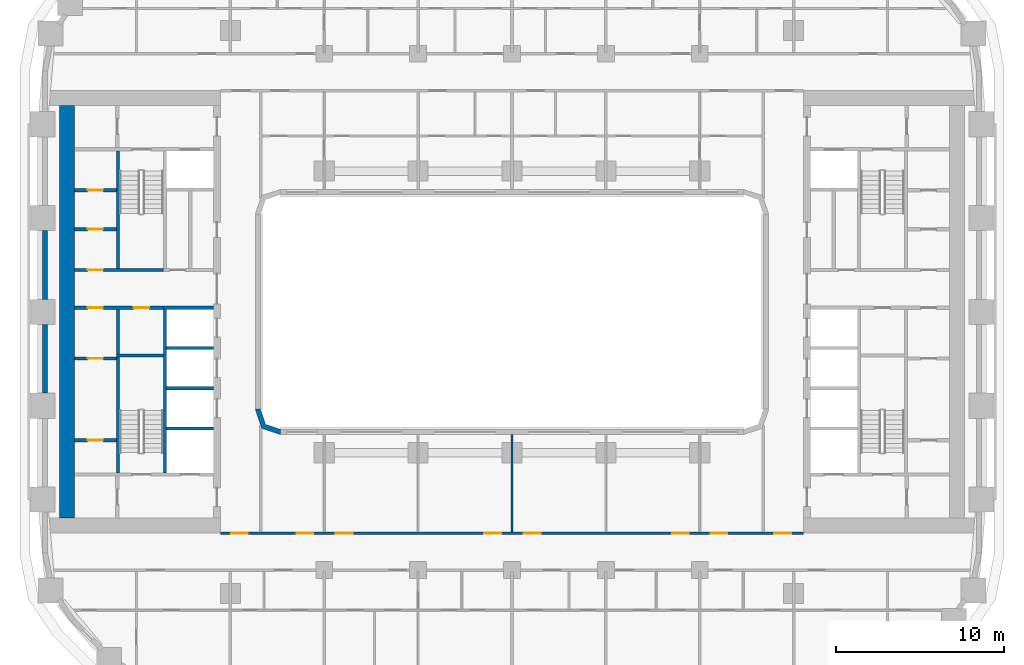
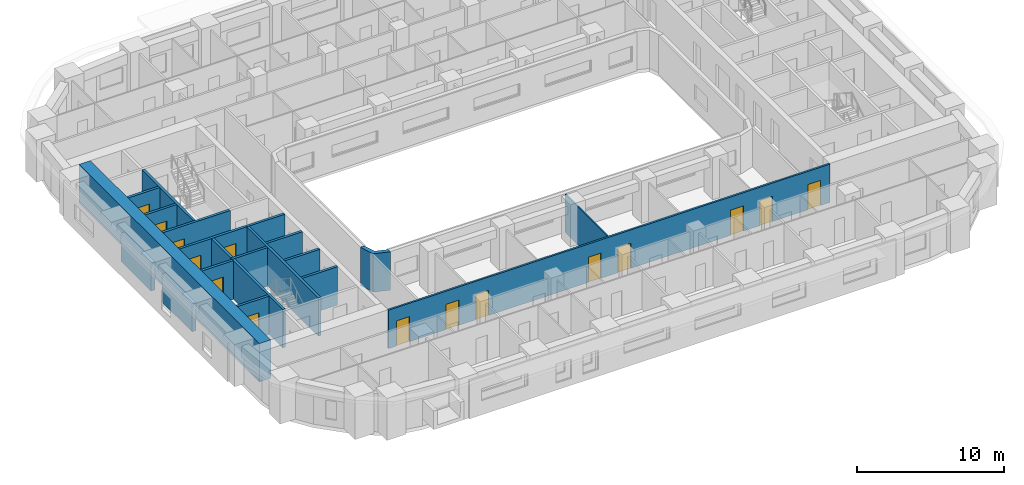
# One storey, part 4 of 21: 21 walls, 15 doors, 15 openings.
"""IFC4 building model written with IfcOpenShell, lengths in metres."""

from ifc_helpers import new_model, si_unit, direction, frame, frame_2d, origin, place, context, subcontext, project, spatial, polyline, rectangle, outline, extrude, material, layer, layer_set, type_object, element, fill, save


model = new_model("IFC4")

# Units and contexts
model_context = context("Model", 3, precision=1e-05, world=origin(), true_north=direction((0.0, 1.0)))
body_context = subcontext(model_context, "Body", "Model", "MODEL_VIEW")
ifc_project = project(units=[si_unit("LENGTHUNIT", "METRE"), si_unit("AREAUNIT", "SQUARE_METRE"), si_unit("VOLUMEUNIT", "CUBIC_METRE"), si_unit("PLANEANGLEUNIT", "RADIAN"), si_unit("MASSUNIT", "GRAM", prefix="KILO")], contexts=[model_context])

# Site, building, storey
site_placement = place(None, origin())
site = spatial("IfcSite", under=ifc_project, at=site_placement, CompositionType="ELEMENT")
building_placement = place(site_placement, origin())
building = spatial("IfcBuilding", under=site, at=building_placement, Name="Kiln Ring Residences", CompositionType="ELEMENT")
storey_placement = place(building_placement, frame((0.0, 0.0, 41.0)))
storey = spatial("IfcBuildingStorey", under=building, at=storey_placement, Name="L09", CompositionType="ELEMENT", Elevation=41.0)

# Wall
ifc_material_1 = material(Name="Gypsum board on steel studs", Category="steel")
ifc_layer_1 = layer(ifc_material_1, 0.199951171875)
ifc_layer_set_1 = layer_set([ifc_layer_1], Name="CORE-PARTITION-200")
wall_type_1 = type_object("IfcWallType", Name="CORE-PARTITION-200", PredefinedType="PARTITIONING", material=ifc_layer_set_1)
wall_1_placement = place(storey_placement, frame((-23.5, -2.5, 0.0), z_axis=(0.0, 0.0, 1.0), x_axis=(0.0, 1.0, 0.0)))
element("IfcWall", 1, at=wall_1_placement, inside=storey, type_object=wall_type_1, Name="Core partition west L09 1", PredefinedType="PARTITIONING", context=body_context, shape_type="SweptSolid", body=[
    extrude(rectangle(XDim=2.64990234375, YDim=0.199951171875, at=frame_2d((1.324951171875, 0.0))), origin(), (0.0, 0.0, 1.0), 3.199951171875),
])

# Wall, openings, doors
wall_2_placement = place(storey_placement, frame((-20.800048828125, 0.25, 0.0), z_axis=(0.0, 0.0, 1.0), x_axis=(-1.0, 0.0, 0.0)))
wall_2 = element("IfcWall", 2, at=wall_2_placement, inside=storey, type_object=wall_type_1, Name="Core partition west L09 2", PredefinedType="PARTITIONING", context=body_context, shape_type="SweptSolid", body=[
    extrude(rectangle(XDim=5.300048828125, YDim=0.199951171875, at=frame_2d((2.64990234375, 0.0))), origin(), (0.0, 0.0, 1.0), 3.199951171875),
])
opening_1_placement = place(wall_2_placement, frame((0.85009765625, 0.0, 0.0)))
opening_1 = element("IfcOpeningElement", 3, at=opening_1_placement, cuts=wall_2, Name="Opening L09-CW15", PredefinedType="OPENING", context=body_context, shape_type="SweptSolid", body=[
    extrude(rectangle(XDim=0.89990234375, YDim=2.10009765625, at=frame_2d((0.449951171875, 1.050048828125))), frame((0.0, 0.10986328125, 0.0), z_axis=(0.0, -1.0, 0.0), x_axis=(1.0, 0.0, 0.0)), (0.0, 0.0, 1.0), 0.219970703125),
])
opening_2_placement = place(wall_2_placement, frame((3.60009765625, 0.0, 0.0)))
opening_2 = element("IfcOpeningElement", 4, at=opening_2_placement, cuts=wall_2, Name="Opening L09-CW18", PredefinedType="OPENING", context=body_context, shape_type="SweptSolid", body=[
    extrude(rectangle(XDim=0.89990234375, YDim=2.10009765625, at=frame_2d((0.449951171875, 1.050048828125))), frame((0.0, 0.10986328125, 0.0), z_axis=(0.0, -1.0, 0.0), x_axis=(1.0, 0.0, 0.0)), (0.0, 0.0, 1.0), 0.219970703125),
])
ifc_material_2 = material(Name="Steel door leaf", Category="steel")
door_type_1 = type_object("IfcDoorType", Name="CORE-DOOR-ROOM", OperationType="SINGLE_SWING_LEFT", PredefinedType="DOOR", material=ifc_material_2)
door_1_placement = place(opening_1_placement, origin())
door_1 = element("IfcDoor", 5, at=door_1_placement, inside=storey, type_object=door_type_1, Name="Cleaner's store L09-CW15", OperationType="SINGLE_SWING_LEFT", OverallHeight=2.10009765625, OverallWidth=0.89990234375, PredefinedType="DOOR", context=body_context, shape_type="SweptSolid", body=[
    extrude(rectangle(XDim=0.89990234375, YDim=2.10009765625, at=frame_2d((0.449951171875, 1.050048828125))), frame((0.0, 0.02490234375, 0.0), z_axis=(0.0, -1.0, 0.0), x_axis=(1.0, 0.0, 0.0)), (0.0, 0.0, 1.0), 0.050048828125),
])
fill(opening_1, door_1)
door_2_placement = place(opening_2_placement, origin())
door_2 = element("IfcDoor", 6, at=door_2_placement, inside=storey, type_object=door_type_1, Name="Battery room L09-CW18", OperationType="SINGLE_SWING_RIGHT", OverallHeight=2.10009765625, OverallWidth=0.89990234375, PredefinedType="DOOR", context=body_context, shape_type="SweptSolid", body=[
    extrude(rectangle(XDim=0.89990234375, YDim=2.10009765625, at=frame_2d((0.449951171875, 1.050048828125))), frame((0.0, 0.02490234375, 0.0), z_axis=(0.0, -1.0, 0.0), x_axis=(1.0, 0.0, 0.0)), (0.0, 0.0, 1.0), 0.050048828125),
])
fill(opening_2, door_2)

# Wall, opening, door
wall_3_placement = place(storey_placement, frame((-23.60009765625, -7.64990234375, 0.0), z_axis=(0.0, 0.0, 1.0), x_axis=(-1.0, 0.0, 0.0)))
wall_3 = element("IfcWall", 7, at=wall_3_placement, inside=storey, type_object=wall_type_1, Name="Core partition west L09 6", PredefinedType="PARTITIONING", context=body_context, shape_type="SweptSolid", body=[
    extrude(rectangle(XDim=2.5, YDim=0.199951171875, at=frame_2d((1.25, 0.0))), origin(), (0.0, 0.0, 1.0), 3.199951171875),
])
opening_3_placement = place(wall_3_placement, frame((0.800048828125, 0.0, 0.0)))
opening_3 = element("IfcOpeningElement", 8, at=opening_3_placement, cuts=wall_3, Name="Opening L09-CW16", PredefinedType="OPENING", context=body_context, shape_type="SweptSolid", body=[
    extrude(rectangle(XDim=0.89990234375, YDim=2.10009765625, at=frame_2d((0.449951171875, 1.050048828125))), frame((0.0, 0.10986328125, 0.0), z_axis=(0.0, -1.0, 0.0), x_axis=(1.0, 0.0, 0.0)), (0.0, 0.0, 1.0), 0.219970703125),
])
door_3_placement = place(opening_3_placement, origin())
door_3 = element("IfcDoor", 9, at=door_3_placement, inside=storey, type_object=door_type_1, Name="Plant room L09-CW16", OperationType="SINGLE_SWING_LEFT", OverallHeight=2.10009765625, OverallWidth=0.89990234375, PredefinedType="DOOR", context=body_context, shape_type="SweptSolid", body=[
    extrude(rectangle(XDim=0.89990234375, YDim=2.10009765625, at=frame_2d((0.449951171875, 1.050048828125))), frame((0.0, 0.02490234375, 0.0), z_axis=(0.0, -1.0, 0.0), x_axis=(1.0, 0.0, 0.0)), (0.0, 0.0, 1.0), 0.050048828125),
])
fill(opening_3, door_3)

wall_4_placement = place(storey_placement, frame((-23.60009765625, -2.77490234375, 0.0), z_axis=(0.0, 0.0, 1.0), x_axis=(-1.0, 0.0, 0.0)))
wall_4 = element("IfcWall", 10, at=wall_4_placement, inside=storey, type_object=wall_type_1, Name="Core partition west L09 7", PredefinedType="PARTITIONING", context=body_context, shape_type="SweptSolid", body=[
    extrude(rectangle(XDim=2.5, YDim=0.199951171875, at=frame_2d((1.25, 0.0))), origin(), (0.0, 0.0, 1.0), 3.199951171875),
])
opening_4_placement = place(wall_4_placement, frame((0.800048828125, 0.0, 0.0)))
opening_4 = element("IfcOpeningElement", 11, at=opening_4_placement, cuts=wall_4, Name="Opening L09-CW17", PredefinedType="OPENING", context=body_context, shape_type="SweptSolid", body=[
    extrude(rectangle(XDim=0.89990234375, YDim=2.10009765625, at=frame_2d((0.449951171875, 1.050048828125))), frame((0.0, 0.10986328125, 0.0), z_axis=(0.0, -1.0, 0.0), x_axis=(1.0, 0.0, 0.0)), (0.0, 0.0, 1.0), 0.219970703125),
])
door_4_placement = place(opening_4_placement, origin())
door_4 = element("IfcDoor", 12, at=door_4_placement, inside=storey, type_object=door_type_1, Name="Battery room L09-CW17", OperationType="SINGLE_SWING_RIGHT", OverallHeight=2.10009765625, OverallWidth=0.89990234375, PredefinedType="DOOR", context=body_context, shape_type="SweptSolid", body=[
    extrude(rectangle(XDim=0.89990234375, YDim=2.10009765625, at=frame_2d((0.449951171875, 1.050048828125))), frame((0.0, 0.02490234375, 0.0), z_axis=(0.0, -1.0, 0.0), x_axis=(1.0, 0.0, 0.0)), (0.0, 0.0, 1.0), 0.050048828125),
])
fill(opening_4, door_4)

wall_5_placement = place(storey_placement, frame((-23.60009765625, 4.933349609375, 0.0), z_axis=(0.0, 0.0, 1.0), x_axis=(-1.0, 0.0, 0.0)))
wall_5 = element("IfcWall", 13, at=wall_5_placement, inside=storey, type_object=wall_type_1, Name="Core partition west L09 8", PredefinedType="PARTITIONING", context=body_context, shape_type="SweptSolid", body=[
    extrude(rectangle(XDim=2.5, YDim=0.199951171875, at=frame_2d((1.25, 0.0))), origin(), (0.0, 0.0, 1.0), 3.199951171875),
])
opening_5_placement = place(wall_5_placement, frame((0.800048828125, 0.0, 0.0)))
opening_5 = element("IfcOpeningElement", 14, at=opening_5_placement, cuts=wall_5, Name="Opening L09-CW19", PredefinedType="OPENING", context=body_context, shape_type="SweptSolid", body=[
    extrude(rectangle(XDim=0.89990234375, YDim=2.10009765625, at=frame_2d((0.449951171875, 1.050048828125))), frame((0.0, 0.10986328125, 0.0), z_axis=(0.0, -1.0, 0.0), x_axis=(1.0, 0.0, 0.0)), (0.0, 0.0, 1.0), 0.219970703125),
])
door_5_placement = place(opening_5_placement, origin())
door_5 = element("IfcDoor", 15, at=door_5_placement, inside=storey, type_object=door_type_1, Name="Electrical plant room L09-CW19", OperationType="SINGLE_SWING_RIGHT", OverallHeight=2.10009765625, OverallWidth=0.89990234375, PredefinedType="DOOR", context=body_context, shape_type="SweptSolid", body=[
    extrude(rectangle(XDim=0.89990234375, YDim=2.10009765625, at=frame_2d((0.449951171875, 1.050048828125))), frame((0.0, 0.02490234375, 0.0), z_axis=(0.0, -1.0, 0.0), x_axis=(1.0, 0.0, 0.0)), (0.0, 0.0, 1.0), 0.050048828125),
])
fill(opening_5, door_5)

wall_6_placement = place(storey_placement, frame((-23.60009765625, 7.2666015625, 0.0), z_axis=(0.0, 0.0, 1.0), x_axis=(-1.0, 0.0, 0.0)))
wall_6 = element("IfcWall", 16, at=wall_6_placement, inside=storey, type_object=wall_type_1, Name="Core partition west L09 9", PredefinedType="PARTITIONING", context=body_context, shape_type="SweptSolid", body=[
    extrude(rectangle(XDim=2.5, YDim=0.199951171875, at=frame_2d((1.25, 0.0))), origin(), (0.0, 0.0, 1.0), 3.199951171875),
])
opening_6_placement = place(wall_6_placement, frame((0.800048828125, 0.0, 0.0)))
opening_6 = element("IfcOpeningElement", 17, at=opening_6_placement, cuts=wall_6, Name="Opening L09-CW20", PredefinedType="OPENING", context=body_context, shape_type="SweptSolid", body=[
    extrude(rectangle(XDim=0.89990234375, YDim=2.10009765625, at=frame_2d((0.449951171875, 1.050048828125))), frame((0.0, 0.10986328125, 0.0), z_axis=(0.0, -1.0, 0.0), x_axis=(1.0, 0.0, 0.0)), (0.0, 0.0, 1.0), 0.219970703125),
])
door_6_placement = place(opening_6_placement, origin())
door_6 = element("IfcDoor", 18, at=door_6_placement, inside=storey, type_object=door_type_1, Name="Comms room L09-CW20", OperationType="SINGLE_SWING_LEFT", OverallHeight=2.10009765625, OverallWidth=0.89990234375, PredefinedType="DOOR", context=body_context, shape_type="SweptSolid", body=[
    extrude(rectangle(XDim=0.89990234375, YDim=2.10009765625, at=frame_2d((0.449951171875, 1.050048828125))), frame((0.0, 0.02490234375, 0.0), z_axis=(0.0, -1.0, 0.0), x_axis=(1.0, 0.0, 0.0)), (0.0, 0.0, 1.0), 0.050048828125),
])
fill(opening_6, door_6)

# Walls
ifc_material_3 = material(Name="Gypsum shaft wall system")
ifc_layer_2 = layer(ifc_material_3, 0.199951171875)
ifc_layer_set_2 = layer_set([ifc_layer_2], Name="CORE-SHAFT-WALL-200")
wall_type_2 = type_object("IfcWallType", Name="CORE-SHAFT-WALL-200", PredefinedType="PARTITIONING", material=ifc_layer_set_2)
for number, where, z_axis, x_axis, name in (
    (19, (-17.800048828125, -6.949951171875, 0.0), (0.0, 0.0, 1.0), (-1.0, 0.0, 0.0), "Core partition west L09 10"),
    (20, (-17.800048828125, -4.550048828125, 0.0), (0.0, 0.0, 1.0), (-1.0, 0.0, 0.0), "Core partition west L09 11"),
    (21, (-17.800048828125, -2.14990234375, 0.0), (0.0, 0.0, 1.0), (-1.0, 0.0, 0.0), "Core partition west L09 12"),
):
    element("IfcWall", number, at=place(storey_placement, frame(where, z_axis=z_axis, x_axis=x_axis)), inside=storey, type_object=wall_type_2, Name=name, PredefinedType="PARTITIONING", context=body_context, shape_type="SweptSolid", body=[
        extrude(rectangle(XDim=2.800048828125, YDim=0.199951171875, at=frame_2d((1.39990234375, 0.0))), origin(), (0.0, 0.0, 1.0), 3.199951171875),
    ])
wall_7_placement = place(storey_placement, frame((-17.800048828125, 0.25, 0.0), z_axis=(0.0, 0.0, 1.0), x_axis=(-1.0, 0.0, 0.0)))
element("IfcWall", 22, at=wall_7_placement, inside=storey, type_object=wall_type_2, Name="Core partition west L09 13", PredefinedType="PARTITIONING", context=body_context, shape_type="SweptSolid", body=[
    extrude(rectangle(XDim=3.0, YDim=0.199951171875, at=frame_2d((1.5, 0.0))), origin(), (0.0, 0.0, 1.0), 3.199951171875),
])
ifc_material_4 = material(Name="Concrete C40/50", Category="concrete")
ifc_layer_3 = layer(ifc_material_4, 0.199951171875)
ifc_layer_set_3 = layer_set([ifc_layer_3], Name="CORE-WALL-RC200")
wall_type_3 = type_object("IfcWallType", Name="CORE-WALL-RC200", PredefinedType="SHEAR", material=ifc_layer_set_3)
wall_8_placement = place(storey_placement, frame((-20.699951171875, -9.60009765625, 0.0), z_axis=(0.0, 0.0, 1.0), x_axis=(0.0, 1.0, 0.0)))
element("IfcWall", 23, at=wall_8_placement, inside=storey, type_object=wall_type_3, Name="Core wall west L09 2", PredefinedType="SHEAR", context=body_context, shape_type="SweptSolid", body=[
    extrude(rectangle(XDim=9.75, YDim=0.199951171875, at=frame_2d((4.875, 0.0))), origin(), (0.0, 0.0, 1.0), 3.199951171875),
])

# Wall, opening, door
wall_9_placement = place(storey_placement, frame((-20.800048828125, 2.5, 0.0), z_axis=(0.0, 0.0, 1.0), x_axis=(-1.0, 0.0, 0.0)))
wall_9 = element("IfcWall", 24, at=wall_9_placement, inside=storey, type_object=wall_type_3, Name="Core wall west L09 3", PredefinedType="SHEAR", context=body_context, shape_type="SweptSolid", body=[
    extrude(rectangle(XDim=5.300048828125, YDim=0.199951171875, at=frame_2d((2.64990234375, 0.0))), origin(), (0.0, 0.0, 1.0), 3.199951171875),
])
opening_7_placement = place(wall_9_placement, frame((3.60009765625, 0.0, 0.0)))
opening_7 = element("IfcOpeningElement", 25, at=opening_7_placement, cuts=wall_9, Name="Opening L09-CW21", PredefinedType="OPENING", context=body_context, shape_type="SweptSolid", body=[
    extrude(rectangle(XDim=0.89990234375, YDim=2.10009765625, at=frame_2d((0.449951171875, 1.050048828125))), frame((0.0, 0.10986328125, 0.0), z_axis=(0.0, -1.0, 0.0), x_axis=(1.0, 0.0, 0.0)), (0.0, 0.0, 1.0), 0.219970703125),
])
door_7_placement = place(opening_7_placement, origin())
door_7 = element("IfcDoor", 26, at=door_7_placement, inside=storey, type_object=door_type_1, Name="UPS room L09-CW21", OperationType="SINGLE_SWING_RIGHT", OverallHeight=2.10009765625, OverallWidth=0.89990234375, PredefinedType="DOOR", context=body_context, shape_type="SweptSolid", body=[
    extrude(rectangle(XDim=0.89990234375, YDim=2.10009765625, at=frame_2d((0.449951171875, 1.050048828125))), frame((0.0, 0.02490234375, 0.0), z_axis=(0.0, -1.0, 0.0), x_axis=(1.0, 0.0, 0.0)), (0.0, 0.0, 1.0), 0.050048828125),
])
fill(opening_7, door_7)

# Walls
wall_10_placement = place(storey_placement, frame((-23.5, 2.60009765625, 0.0), z_axis=(0.0, 0.0, 1.0), x_axis=(0.0, 1.0, 0.0)))
element("IfcWall", 27, at=wall_10_placement, inside=storey, type_object=wall_type_3, Name="Core wall west L09 10", PredefinedType="SHEAR", context=body_context, shape_type="SweptSolid", body=[
    extrude(rectangle(XDim=7.0, YDim=0.199951171875, at=frame_2d((3.5, 0.0))), origin(), (0.0, 0.0, 1.0), 3.199951171875),
])
wall_11_placement = place(storey_placement, frame((-23.5, -9.60009765625, 0.0), z_axis=(0.0, 0.0, 1.0), x_axis=(0.0, 1.0, 0.0)))
element("IfcWall", 28, at=wall_11_placement, inside=storey, type_object=wall_type_3, Name="Core wall west L09 11", PredefinedType="SHEAR", context=body_context, shape_type="SweptSolid", body=[
    extrude(rectangle(XDim=6.900146484375, YDim=0.199951171875, at=frame_2d((3.4501953125, 0.0))), origin(), (0.0, 0.0, 1.0), 3.199951171875),
])
wall_12_placement = place(storey_placement, frame((-20.800048828125, -2.60009765625, 0.0), z_axis=(0.0, 0.0, 1.0), x_axis=(-1.0, 0.0, 0.0)))
element("IfcWall", 29, at=wall_12_placement, inside=storey, type_object=wall_type_3, Name="Core wall west L09 12", PredefinedType="SHEAR", context=body_context, shape_type="SweptSolid", body=[
    extrude(rectangle(XDim=2.800048828125, YDim=0.199951171875, at=frame_2d((1.39990234375, 0.0))), origin(), (0.0, 0.0, 1.0), 3.199951171875),
])
ifc_material_5 = material(Name="Concrete C60/75", Category="concrete")
ifc_layer_4 = layer(ifc_material_5, 0.89990234375)
ifc_layer_set_4 = layer_set([ifc_layer_4], Name="CORE-WALL-RC900")
wall_type_4 = type_object("IfcWallType", Name="CORE-WALL-RC900", PredefinedType="SHEAR", material=ifc_layer_set_4)
wall_13_placement = place(storey_placement, frame((-26.550048828125, -12.300048828125, 0.0), z_axis=(0.0, 0.0, 1.0), x_axis=(0.0, 1.0, 0.0)))
element("IfcWall", 30, at=wall_13_placement, inside=storey, type_object=wall_type_4, Name="Core wall west L09 7", PredefinedType="SHEAR", context=body_context, shape_type="SweptSolid", body=[
    extrude(rectangle(XDim=24.60009765625, YDim=0.89990234375, at=frame_2d((12.300048828125, 0.0))), origin(), (0.0, 0.0, 1.0), 3.199951171875),
])
ifc_material_6 = material(Name="Brick masonry, dark clay brick", Category="masonry")
ifc_layer_5 = layer(ifc_material_6, 0.300048828125)
ifc_layer_set_5 = layer_set([ifc_layer_5], Name="EW-300 BRICK WALL")
wall_type_5 = type_object("IfcWallType", Name="EW-300 BRICK WALL", PredefinedType="SOLIDWALL", material=ifc_layer_set_5)
for number, where, z_axis, x_axis, name in (
    (31, (-27.85009765625, 4.85009765625, 0.0), (0.0, 0.0, 1.0), (0.0, -1.0, 0.0), "Facade wall L09 43"),
    (32, (-27.85009765625, -0.75, 0.0), (0.0, 0.0, 1.0), (0.0, -1.0, 0.0), "Facade wall L09 44"),
):
    element("IfcWall", number, at=place(storey_placement, frame(where, z_axis=z_axis, x_axis=x_axis)), inside=storey, type_object=wall_type_5, Name=name, PredefinedType="SOLIDWALL", context=body_context, shape_type="SweptSolid", body=[
        extrude(rectangle(XDim=4.10009765625, YDim=0.300048828125, at=frame_2d((2.050048828125, 0.0))), origin(), (0.0, 0.0, 1.0), 2.35009765625),
    ])
wall_14_placement = place(storey_placement, origin())
element("IfcWall", 33, at=wall_14_placement, inside=storey, type_object=wall_type_5, Name="Corner wall L09 4", PredefinedType="SOLIDWALL", context=body_context, shape_type="SweptSolid", body=[
    extrude(outline(polyline([(-14.937255859375, -6.937255859375), (-13.8486328125, -7.300048828125), (-13.800048828125, -7.300048828125), (-13.800048828125, -7.0), (-14.699951171875, -6.699951171875), (-15.0, -5.800048828125), (-15.300048828125, -5.800048828125), (-15.300048828125, -5.8486328125), (-14.937255859375, -6.937255859375)])), origin(), (0.0, 0.0, 1.0), 3.199951171875),
])
ifc_material_7 = material(Name="Gypsum board on steel studs", Category="steel")
ifc_layer_6 = layer(ifc_material_7, 0.10009765625)
ifc_layer_set_6 = layer_set([ifc_layer_6], Name="PARTITION-100")
wall_type_6 = type_object("IfcWallType", Name="PARTITION-100", PredefinedType="PARTITIONING", material=ifc_layer_set_6)
wall_15_placement = place(storey_placement, frame((0.0, -13.125, 0.0), z_axis=(0.0, 0.0, 1.0), x_axis=(0.0, 1.0, 0.0)))
element("IfcWall", 34, at=wall_15_placement, inside=storey, type_object=wall_type_6, Name="Partition 038", PredefinedType="PARTITIONING", context=body_context, shape_type="SweptSolid", body=[
    extrude(rectangle(XDim=5.804931640625, YDim=0.10009765625, at=frame_2d((2.90234375, 0.0))), origin(), (0.0, 0.0, 1.0), 3.199951171875),
])

# Wall, openings, doors
ifc_material_8 = material(Name="Brick masonry partition", Category="masonry")
ifc_layer_7 = layer(ifc_material_8, 0.14990234375)
ifc_layer_set_7 = layer_set([ifc_layer_7], Name="PARTITION-150-ei60")
wall_type_7 = type_object("IfcWallType", Name="PARTITION-150-ei60", PredefinedType="PARTITIONING", material=ifc_layer_set_7)
wall_16_placement = place(storey_placement, frame((-17.39990234375, -13.199951171875, 0.0), z_axis=(0.0, 0.0, 1.0), x_axis=(1.0, 0.0, 0.0)))
wall_16 = element("IfcWall", 35, at=wall_16_placement, inside=storey, type_object=wall_type_7, Name="Partition 002", PredefinedType="PARTITIONING", context=body_context, shape_type="SweptSolid", body=[
    extrude(rectangle(XDim=34.7998046875, YDim=0.14990234375, at=frame_2d((17.39990234375, 0.0))), origin(), (0.0, 0.0, 1.0), 3.199951171875),
])
opening_8_placement = place(wall_16_placement, frame((0.64990234375, 0.0, 0.0)))
opening_8 = element("IfcOpeningElement", 36, at=opening_8_placement, cuts=wall_16, Name="Opening L09-D003", PredefinedType="OPENING", context=body_context, shape_type="SweptSolid", body=[
    extrude(rectangle(XDim=1.0, YDim=2.10009765625, at=frame_2d((0.5, 1.050048828125))), frame((0.0, 0.0849609375, 0.0), z_axis=(0.0, -1.0, 0.0), x_axis=(1.0, 0.0, 0.0)), (0.0, 0.0, 1.0), 0.169921875),
])
opening_9_placement = place(wall_16_placement, frame((33.050048828125, 0.0, 0.0)))
opening_9 = element("IfcOpeningElement", 37, at=opening_9_placement, cuts=wall_16, Name="Opening L09-D004", PredefinedType="OPENING", context=body_context, shape_type="SweptSolid", body=[
    extrude(rectangle(XDim=1.0, YDim=2.10009765625, at=frame_2d((0.5, 1.050048828125))), frame((0.0, 0.0849609375, 0.0), z_axis=(0.0, -1.0, 0.0), x_axis=(1.0, 0.0, 0.0)), (0.0, 0.0, 1.0), 0.169921875),
])
opening_10_placement = place(wall_16_placement, frame((4.550048828125, 0.0, 0.0)))
opening_10 = element("IfcOpeningElement", 38, at=opening_10_placement, cuts=wall_16, Name="Opening L09-D045", PredefinedType="OPENING", context=body_context, shape_type="SweptSolid", body=[
    extrude(rectangle(XDim=1.0, YDim=2.10009765625, at=frame_2d((0.5, 1.050048828125))), frame((0.0, 0.0849609375, 0.0), z_axis=(0.0, -1.0, 0.0), x_axis=(1.0, 0.0, 0.0)), (0.0, 0.0, 1.0), 0.169921875),
])
opening_11_placement = place(wall_16_placement, frame((6.89990234375, 0.0, 0.0)))
opening_11 = element("IfcOpeningElement", 39, at=opening_11_placement, cuts=wall_16, Name="Opening L09-D046", PredefinedType="OPENING", context=body_context, shape_type="SweptSolid", body=[
    extrude(rectangle(XDim=1.0, YDim=2.10009765625, at=frame_2d((0.5, 1.050048828125))), frame((0.0, 0.0849609375, 0.0), z_axis=(0.0, -1.0, 0.0), x_axis=(1.0, 0.0, 0.0)), (0.0, 0.0, 1.0), 0.169921875),
])
opening_12_placement = place(wall_16_placement, frame((15.75, 0.0, 0.0)))
opening_12 = element("IfcOpeningElement", 40, at=opening_12_placement, cuts=wall_16, Name="Opening L09-D047", PredefinedType="OPENING", context=body_context, shape_type="SweptSolid", body=[
    extrude(rectangle(XDim=1.0, YDim=2.10009765625, at=frame_2d((0.5, 1.050048828125))), frame((0.0, 0.0849609375, 0.0), z_axis=(0.0, -1.0, 0.0), x_axis=(1.0, 0.0, 0.0)), (0.0, 0.0, 1.0), 0.169921875),
])
opening_13_placement = place(wall_16_placement, frame((18.10009765625, 0.0, 0.0)))
opening_13 = element("IfcOpeningElement", 41, at=opening_13_placement, cuts=wall_16, Name="Opening L09-D048", PredefinedType="OPENING", context=body_context, shape_type="SweptSolid", body=[
    extrude(rectangle(XDim=1.0, YDim=2.10009765625, at=frame_2d((0.5, 1.050048828125))), frame((0.0, 0.0849609375, 0.0), z_axis=(0.0, -1.0, 0.0), x_axis=(1.0, 0.0, 0.0)), (0.0, 0.0, 1.0), 0.169921875),
])
opening_14_placement = place(wall_16_placement, frame((26.949951171875, 0.0, 0.0)))
opening_14 = element("IfcOpeningElement", 42, at=opening_14_placement, cuts=wall_16, Name="Opening L09-D049", PredefinedType="OPENING", context=body_context, shape_type="SweptSolid", body=[
    extrude(rectangle(XDim=1.0, YDim=2.10009765625, at=frame_2d((0.5, 1.050048828125))), frame((0.0, 0.0849609375, 0.0), z_axis=(0.0, -1.0, 0.0), x_axis=(1.0, 0.0, 0.0)), (0.0, 0.0, 1.0), 0.169921875),
])
opening_15_placement = place(wall_16_placement, frame((29.25, 0.0, 0.0)))
opening_15 = element("IfcOpeningElement", 43, at=opening_15_placement, cuts=wall_16, Name="Opening L09-D050", PredefinedType="OPENING", context=body_context, shape_type="SweptSolid", body=[
    extrude(rectangle(XDim=1.0, YDim=2.10009765625, at=frame_2d((0.5, 1.050048828125))), frame((0.0, 0.0849609375, 0.0), z_axis=(0.0, -1.0, 0.0), x_axis=(1.0, 0.0, 0.0)), (0.0, 0.0, 1.0), 0.169921875),
])
ifc_material_9 = material(Name="Steel faced fire door leaf", Category="steel")
door_type_2 = type_object("IfcDoorType", Name="FLAT-DOOR-1000-FR", OperationType="SINGLE_SWING_LEFT", PredefinedType="DOOR", material=ifc_material_9)
door_8_placement = place(opening_8_placement, origin())
door_8 = element("IfcDoor", 44, at=door_8_placement, inside=storey, type_object=door_type_2, Name="Door L09-D003", OperationType="SINGLE_SWING_RIGHT", OverallHeight=2.10009765625, OverallWidth=1.0, PredefinedType="DOOR", context=body_context, shape_type="SweptSolid", body=[
    extrude(rectangle(XDim=1.0, YDim=2.10009765625, at=frame_2d((0.5, 1.050048828125))), frame((0.0, 0.02490234375, 0.0), z_axis=(0.0, -1.0, 0.0), x_axis=(1.0, 0.0, 0.0)), (0.0, 0.0, 1.0), 0.050048828125),
])
fill(opening_8, door_8)
door_9_placement = place(opening_9_placement, origin())
door_9 = element("IfcDoor", 45, at=door_9_placement, inside=storey, type_object=door_type_2, Name="Door L09-D004", OperationType="SINGLE_SWING_LEFT", OverallHeight=2.10009765625, OverallWidth=1.0, PredefinedType="DOOR", context=body_context, shape_type="SweptSolid", body=[
    extrude(rectangle(XDim=1.0, YDim=2.10009765625, at=frame_2d((0.5, 1.050048828125))), frame((0.0, 0.02490234375, 0.0), z_axis=(0.0, -1.0, 0.0), x_axis=(1.0, 0.0, 0.0)), (0.0, 0.0, 1.0), 0.050048828125),
])
fill(opening_9, door_9)
door_10_placement = place(opening_10_placement, origin())
door_10 = element("IfcDoor", 46, at=door_10_placement, inside=storey, type_object=door_type_2, Name="Door L09-D045", OperationType="SINGLE_SWING_LEFT", OverallHeight=2.10009765625, OverallWidth=1.0, PredefinedType="DOOR", context=body_context, shape_type="SweptSolid", body=[
    extrude(rectangle(XDim=1.0, YDim=2.10009765625, at=frame_2d((0.5, 1.050048828125))), frame((0.0, 0.02490234375, 0.0), z_axis=(0.0, -1.0, 0.0), x_axis=(1.0, 0.0, 0.0)), (0.0, 0.0, 1.0), 0.050048828125),
])
fill(opening_10, door_10)
door_11_placement = place(opening_11_placement, origin())
door_11 = element("IfcDoor", 47, at=door_11_placement, inside=storey, type_object=door_type_2, Name="Door L09-D046", OperationType="SINGLE_SWING_RIGHT", OverallHeight=2.10009765625, OverallWidth=1.0, PredefinedType="DOOR", context=body_context, shape_type="SweptSolid", body=[
    extrude(rectangle(XDim=1.0, YDim=2.10009765625, at=frame_2d((0.5, 1.050048828125))), frame((0.0, 0.02490234375, 0.0), z_axis=(0.0, -1.0, 0.0), x_axis=(1.0, 0.0, 0.0)), (0.0, 0.0, 1.0), 0.050048828125),
])
fill(opening_11, door_11)
door_12_placement = place(opening_12_placement, origin())
door_12 = element("IfcDoor", 48, at=door_12_placement, inside=storey, type_object=door_type_2, Name="Door L09-D047", OperationType="SINGLE_SWING_LEFT", OverallHeight=2.10009765625, OverallWidth=1.0, PredefinedType="DOOR", context=body_context, shape_type="SweptSolid", body=[
    extrude(rectangle(XDim=1.0, YDim=2.10009765625, at=frame_2d((0.5, 1.050048828125))), frame((0.0, 0.02490234375, 0.0), z_axis=(0.0, -1.0, 0.0), x_axis=(1.0, 0.0, 0.0)), (0.0, 0.0, 1.0), 0.050048828125),
])
fill(opening_12, door_12)
door_13_placement = place(opening_13_placement, origin())
door_13 = element("IfcDoor", 49, at=door_13_placement, inside=storey, type_object=door_type_2, Name="Door L09-D048", OperationType="SINGLE_SWING_RIGHT", OverallHeight=2.10009765625, OverallWidth=1.0, PredefinedType="DOOR", context=body_context, shape_type="SweptSolid", body=[
    extrude(rectangle(XDim=1.0, YDim=2.10009765625, at=frame_2d((0.5, 1.050048828125))), frame((0.0, 0.02490234375, 0.0), z_axis=(0.0, -1.0, 0.0), x_axis=(1.0, 0.0, 0.0)), (0.0, 0.0, 1.0), 0.050048828125),
])
fill(opening_13, door_13)
door_14_placement = place(opening_14_placement, origin())
door_14 = element("IfcDoor", 50, at=door_14_placement, inside=storey, type_object=door_type_2, Name="Door L09-D049", OperationType="SINGLE_SWING_LEFT", OverallHeight=2.10009765625, OverallWidth=1.0, PredefinedType="DOOR", context=body_context, shape_type="SweptSolid", body=[
    extrude(rectangle(XDim=1.0, YDim=2.10009765625, at=frame_2d((0.5, 1.050048828125))), frame((0.0, 0.02490234375, 0.0), z_axis=(0.0, -1.0, 0.0), x_axis=(1.0, 0.0, 0.0)), (0.0, 0.0, 1.0), 0.050048828125),
])
fill(opening_14, door_14)
door_15_placement = place(opening_15_placement, origin())
door_15 = element("IfcDoor", 51, at=door_15_placement, inside=storey, type_object=door_type_2, Name="Door L09-D050", OperationType="SINGLE_SWING_RIGHT", OverallHeight=2.10009765625, OverallWidth=1.0, PredefinedType="DOOR", context=body_context, shape_type="SweptSolid", body=[
    extrude(rectangle(XDim=1.0, YDim=2.10009765625, at=frame_2d((0.5, 1.050048828125))), frame((0.0, 0.02490234375, 0.0), z_axis=(0.0, -1.0, 0.0), x_axis=(1.0, 0.0, 0.0)), (0.0, 0.0, 1.0), 0.050048828125),
])
fill(opening_15, door_15)

save(model, "model.ifc")
